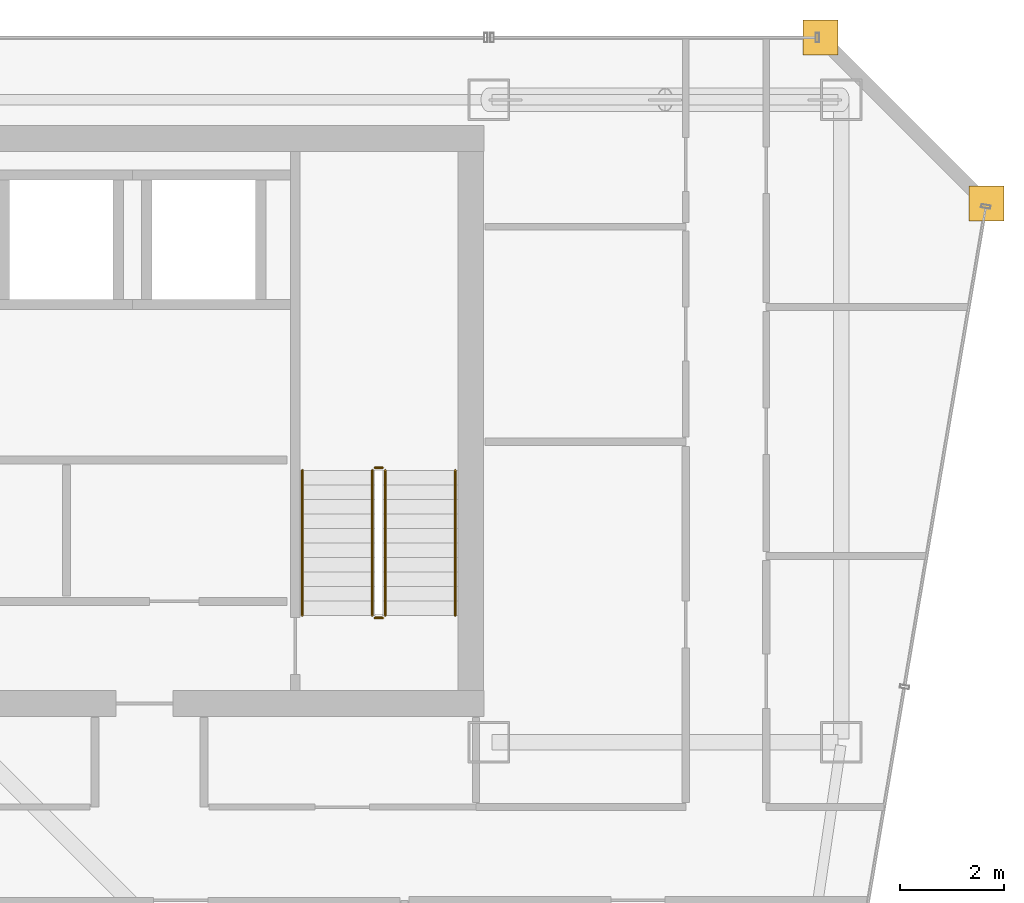
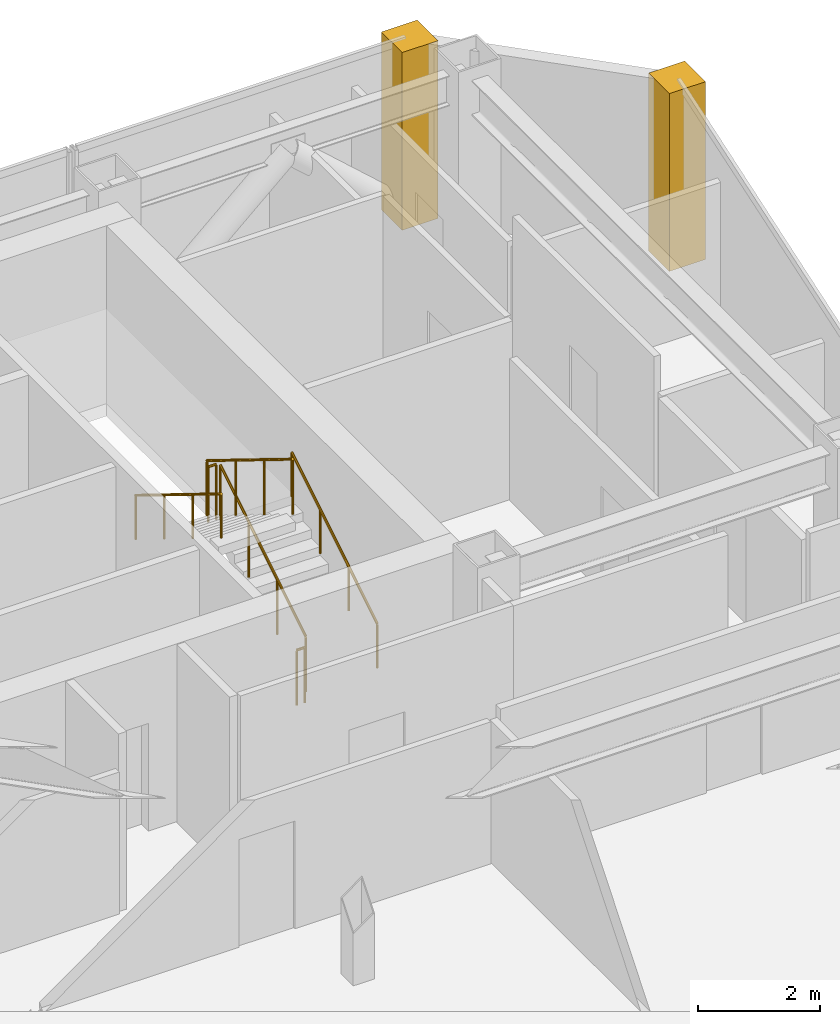
# One storey, part 35 of 35: 6 railings, 2 coverings.
"""IFC4 building model written with IfcOpenShell, lengths in metres."""

from ifc_helpers import new_model, si_unit, direction, frame, origin, origin_2d, place, context, subcontext, project, spatial, polyline, circle, outline, extrude, material, layer, layer_set, type_object, element, save


model = new_model("IFC4")

# Units and contexts
model_context = context("Model", 3, precision=1e-05, world=origin(), true_north=direction((0.0, 1.0)))
body_context = subcontext(model_context, "Body", "Model", "MODEL_VIEW")
ifc_project = project(units=[si_unit("LENGTHUNIT", "METRE"), si_unit("AREAUNIT", "SQUARE_METRE"), si_unit("VOLUMEUNIT", "CUBIC_METRE"), si_unit("PLANEANGLEUNIT", "RADIAN"), si_unit("MASSUNIT", "GRAM", prefix="KILO")], contexts=[model_context])

# Site, building, storey
site_placement = place(None, origin())
site = spatial("IfcSite", under=ifc_project, at=site_placement, CompositionType="ELEMENT")
building_placement = place(site_placement, origin())
building = spatial("IfcBuilding", under=site, at=building_placement, Name="Saevonmaru Cultural Tower", CompositionType="ELEMENT")
storey_placement = place(building_placement, frame((0.0, 0.0, 190.39990234375)))
storey = spatial("IfcBuildingStorey", under=building, at=storey_placement, Name="L43", CompositionType="ELEMENT", Elevation=190.39990234375)

# Coverings
ifc_material_1 = material(Name="Satin Bronze Anodised Aluminium", Category="aluminium")
ifc_layer = layer(ifc_material_1, 0.679931640625, Name="Satin Bronze Anodised Aluminium")
ifc_layer_set = layer_set([ifc_layer], Name="Satin Bronze Anodised Aluminium")
covering_type = type_object("IfcCoveringType", Name="CV-CORNER-CLAD", PredefinedType="CLADDING", material=ifc_layer_set)
covering_1_placement = place(storey_placement, origin())
element("IfcCovering", 1, at=covering_1_placement, inside=storey, type_object=covering_type, Name="L43 Tower Bronze Corner Cladding Pier 9", PredefinedType="CLADDING", context=body_context, shape_type="SweptSolid", body=[
    extrude(outline(polyline([(55.659912109375, 52.4599609375), (56.340087890625, 52.4599609375), (56.340087890625, 53.139892578125), (55.659912109375, 53.139892578125), (55.659912109375, 52.4599609375)])), origin(), (0.0, 0.0, 1.0), 3.550048828125),
])
covering_2_placement = place(storey_placement, origin())
element("IfcCovering", 2, at=covering_2_placement, inside=storey, type_object=covering_type, Name="L43 Tower Bronze Corner Cladding Pier 10", PredefinedType="CLADDING", context=body_context, shape_type="SweptSolid", body=[
    extrude(outline(polyline([(52.4599609375, 55.659912109375), (53.139892578125, 55.659912109375), (53.139892578125, 56.340087890625), (52.4599609375, 56.340087890625), (52.4599609375, 55.659912109375)])), origin(), (0.0, 0.0, 1.0), 3.550048828125),
])

# Railings
ifc_material_2 = material(Name="Architectural Painted Steel", Category="steel")
railing_type_1 = type_object("IfcRailingType", Name="RL-STAIR-GUARD", PredefinedType="GUARDRAIL", material=ifc_material_2)
railing_1_placement = place(storey_placement, frame((44.39990234375, 44.85009765625, 0.1728515625)))
element("IfcRailing", 3, at=railing_1_placement, inside=storey, type_object=railing_type_1, Name="L43 ST-2 stair guard 1", PredefinedType="GUARDRAIL", context=body_context, shape_type="SweptSolid", body=[
    extrude(circle(Radius=0.02392578125, at=origin_2d()), frame((0.0, 0.0, 1.09619140625), z_axis=(0.0, 0.851069175582, 0.525053576669), x_axis=(-1.0, 0.0, 0.0)), (0.0, 0.0, 1.0), 3.289794921875),
    extrude(circle(Radius=0.02099609375, at=origin_2d()), origin(), (0.0, 0.0, 1.0), 1.072021484375),
    extrude(circle(Radius=0.02099609375, at=origin_2d()), frame((0.0, 0.933349609375, 0.57568359375)), (0.0, 0.0, 1.0), 1.072021484375),
    extrude(circle(Radius=0.02099609375, at=origin_2d()), frame((0.0, 1.866455078125, 1.151611328125)), (0.0, 0.0, 1.0), 1.072021484375),
    extrude(circle(Radius=0.02099609375, at=origin_2d()), frame((0.0, 2.7998046875, 1.727294921875)), (0.0, 0.0, 1.0), 1.072021484375),
])
railing_2_placement = place(storey_placement, frame((44.35009765625, 47.699951171875, 1.900146484375)))
element("IfcRailing", 4, at=railing_2_placement, inside=storey, type_object=railing_type_1, Name="L43 ST-2 stair guard 2", PredefinedType="GUARDRAIL", context=body_context, shape_type="SweptSolid", body=[
    extrude(circle(Radius=0.02392578125, at=origin_2d()), frame((0.0, 0.0, 1.09619140625), z_axis=(-1.0, 0.0, 0.0), x_axis=(0.0, -1.0, 0.0)), (0.0, 0.0, 1.0), 0.150146484375),
    extrude(circle(Radius=0.02099609375, at=origin_2d()), origin(), (0.0, 0.0, 1.0), 1.072021484375),
    extrude(circle(Radius=0.02099609375, at=origin_2d()), frame((-0.150146484375, 0.0, 0.0)), (0.0, 0.0, 1.0), 1.072021484375),
])
railing_3_placement = place(storey_placement, frame((44.14990234375, 47.64990234375, 2.07275390625)))
element("IfcRailing", 5, at=railing_3_placement, inside=storey, type_object=railing_type_1, Name="L43 ST-2 stair guard 3", PredefinedType="GUARDRAIL", context=body_context, shape_type="SweptSolid", body=[
    extrude(circle(Radius=0.02392578125, at=origin_2d()), frame((0.0, 0.0, 1.09619140625), z_axis=(0.0, -0.851069175582, 0.525053576669), x_axis=(1.0, 0.0, 0.0)), (0.0, 0.0, 1.0), 3.289794921875),
    extrude(circle(Radius=0.02099609375, at=origin_2d()), origin(), (0.0, 0.0, 1.0), 1.072021484375),
    extrude(circle(Radius=0.02099609375, at=origin_2d()), frame((0.0, -0.933349609375, 0.57568359375)), (0.0, 0.0, 1.0), 1.072021484375),
    extrude(circle(Radius=0.02099609375, at=origin_2d()), frame((0.0, -1.866455078125, 1.151611328125)), (0.0, 0.0, 1.0), 1.072021484375),
    extrude(circle(Radius=0.02099609375, at=origin_2d()), frame((0.0, -2.7998046875, 1.727294921875)), (0.0, 0.0, 1.0), 1.072021484375),
])
railing_4_placement = place(storey_placement, frame((44.35009765625, 44.800048828125, 0.0)))
element("IfcRailing", 6, at=railing_4_placement, inside=storey, type_object=railing_type_1, Name="L43 ST-2 stair guard 4", PredefinedType="GUARDRAIL", context=body_context, shape_type="SweptSolid", body=[
    extrude(circle(Radius=0.02392578125, at=origin_2d()), frame((0.0, 0.0, 1.09619140625), z_axis=(-1.0, 0.0, 0.0), x_axis=(0.0, -1.0, 0.0)), (0.0, 0.0, 1.0), 0.150146484375),
    extrude(circle(Radius=0.02099609375, at=origin_2d()), origin(), (0.0, 0.0, 1.0), 1.072021484375),
    extrude(circle(Radius=0.02099609375, at=origin_2d()), frame((-0.150146484375, 0.0, 0.0)), (0.0, 0.0, 1.0), 1.072021484375),
])
railing_type_2 = type_object("IfcRailingType", Name="RL-STAIR-HANDRAIL", PredefinedType="HANDRAIL", material=ifc_material_1)
railing_5_placement = place(storey_placement, frame((45.75, 44.85009765625, 0.1728515625)))
element("IfcRailing", 7, at=railing_5_placement, inside=storey, type_object=railing_type_2, Name="L43 ST-2 stair handrail 1", PredefinedType="HANDRAIL", context=body_context, shape_type="SweptSolid", body=[
    extrude(circle(Radius=0.02392578125, at=origin_2d()), frame((0.0, 0.0, 0.8759765625), z_axis=(0.0, 0.851069175582, 0.525053576669), x_axis=(-1.0, 0.0, 0.0)), (0.0, 0.0, 1.0), 3.289794921875),
    extrude(circle(Radius=0.02099609375, at=origin_2d()), origin(), (0.0, 0.0, 1.0), 0.851806640625),
    extrude(circle(Radius=0.02099609375, at=origin_2d()), frame((0.0, 0.933349609375, 0.57568359375)), (0.0, 0.0, 1.0), 0.851806640625),
    extrude(circle(Radius=0.02099609375, at=origin_2d()), frame((0.0, 1.866455078125, 1.151611328125)), (0.0, 0.0, 1.0), 0.851806640625),
    extrude(circle(Radius=0.02099609375, at=origin_2d()), frame((0.0, 2.7998046875, 1.727294921875)), (0.0, 0.0, 1.0), 0.851806640625),
])
railing_6_placement = place(storey_placement, frame((42.800048828125, 47.64990234375, 2.07275390625)))
element("IfcRailing", 8, at=railing_6_placement, inside=storey, type_object=railing_type_2, Name="L43 ST-2 stair handrail 2", PredefinedType="HANDRAIL", context=body_context, shape_type="SweptSolid", body=[
    extrude(circle(Radius=0.02392578125, at=origin_2d()), frame((0.0, 0.0, 0.8759765625), z_axis=(0.0, -0.851069175582, 0.525053576669), x_axis=(1.0, 0.0, 0.0)), (0.0, 0.0, 1.0), 3.289794921875),
    extrude(circle(Radius=0.02099609375, at=origin_2d()), origin(), (0.0, 0.0, 1.0), 0.851806640625),
    extrude(circle(Radius=0.02099609375, at=origin_2d()), frame((0.0, -0.933349609375, 0.57568359375)), (0.0, 0.0, 1.0), 0.851806640625),
    extrude(circle(Radius=0.02099609375, at=origin_2d()), frame((0.0, -1.866455078125, 1.151611328125)), (0.0, 0.0, 1.0), 0.851806640625),
    extrude(circle(Radius=0.02099609375, at=origin_2d()), frame((0.0, -2.7998046875, 1.727294921875)), (0.0, 0.0, 1.0), 0.851806640625),
])

save(model, "model.ifc")
